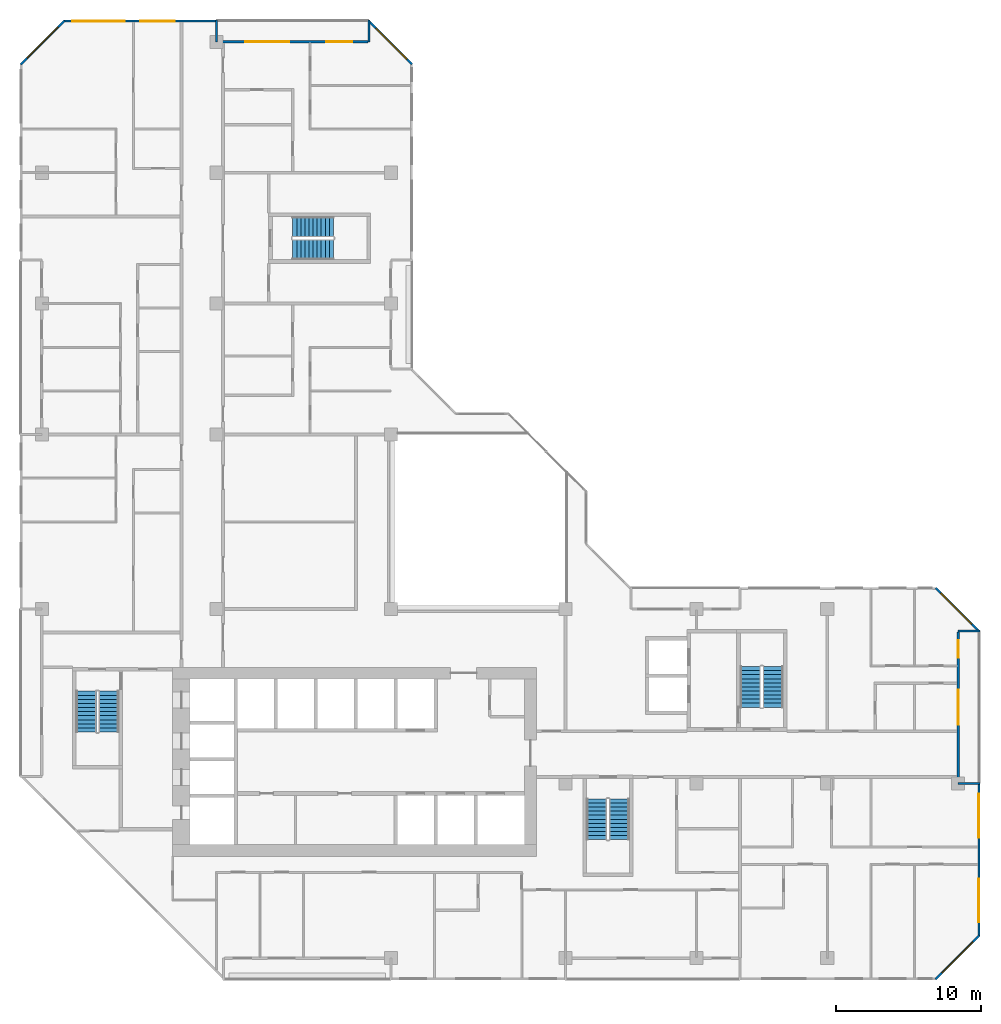
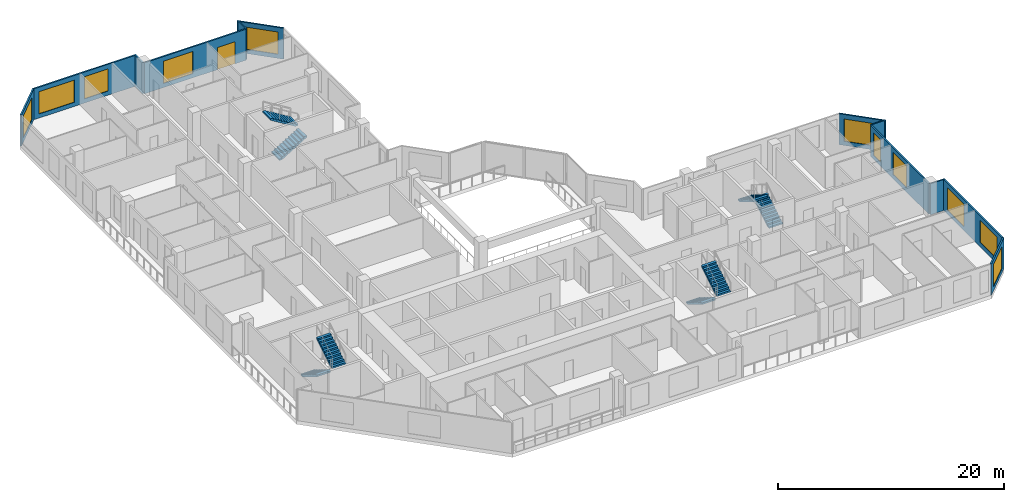
# One storey, part 12 of 14: 12 walls, 11 windows, 8 stair flights, 1 door, 12 openings, 4 elements without a shape of their own.
"""IFC4 building model written with IfcOpenShell, lengths in metres."""

from ifc_helpers import new_model, si_unit, direction, frame, frame_2d, origin, place, context, subcontext, project, spatial, polyline, rectangle, outline, extrude, material, layer, layer_set, type_object, element, fill, aggregate, save


model = new_model("IFC4")

# Units and contexts
model_context = context("Model", 3, precision=1e-05, world=origin(), true_north=direction((0.0, 1.0)))
body_context = subcontext(model_context, "Body", "Model", "MODEL_VIEW")
ifc_project = project(units=[si_unit("LENGTHUNIT", "METRE"), si_unit("AREAUNIT", "SQUARE_METRE"), si_unit("VOLUMEUNIT", "CUBIC_METRE"), si_unit("PLANEANGLEUNIT", "RADIAN"), si_unit("MASSUNIT", "GRAM", prefix="KILO")], contexts=[model_context])

# Site, building, storey
site_placement = place(None, origin())
site = spatial("IfcSite", under=ifc_project, at=site_placement, CompositionType="ELEMENT")
building_placement = place(site_placement, origin())
building = spatial("IfcBuilding", under=site, at=building_placement, Name="Chenar Terraces", CompositionType="ELEMENT")
storey_placement = place(building_placement, frame((0.0, 0.0, 168.64990234375)))
storey = spatial("IfcBuildingStorey", under=building, at=storey_placement, Name="L38", CompositionType="ELEMENT", Elevation=168.64990234375)

# Wall, openings, windows
ifc_material_1 = material(Name="Aluminium framed glazing", Category="aluminium")
ifc_layer_1 = layer(ifc_material_1, 0.14990234375)
ifc_layer_set_1 = layer_set([ifc_layer_1], Name="Aluminium framed glazing")
wall_type_1 = type_object("IfcWallType", Name="Glazed flush facade wall 150", PredefinedType="SOLIDWALL", material=ifc_layer_set_1)
wall_1_placement = place(storey_placement, frame((11.925048828125, 64.425048828125, 0.0), z_axis=(0.0, 0.0, 1.0), x_axis=(-1.0, 0.0, 0.0)))
wall_1 = element("IfcWall", 1, at=wall_1_placement, inside=storey, type_object=wall_type_1, Name="Glazed flush facade wall", PredefinedType="SOLIDWALL", context=body_context, shape_type="SweptSolid", body=[
    extrude(rectangle(XDim=10.425048828125, YDim=0.14990234375, at=frame_2d((5.21240234375, 0.0))), origin(), (0.0, 0.0, 1.0), 3.35009765625),
])
opening_1_placement = place(wall_1_placement, frame((2.77490234375, 0.0, 0.449951171875)))
opening_1 = element("IfcOpeningElement", 2, at=opening_1_placement, cuts=wall_1, Name="Opening W240x240", PredefinedType="OPENING", context=body_context, shape_type="SweptSolid", body=[
    extrude(rectangle(XDim=2.39990234375, YDim=2.39990234375, at=frame_2d((1.199951171875, 1.199951171875))), frame((0.0, 0.0849609375, 0.0), z_axis=(0.0, -1.0, 0.0), x_axis=(1.0, 0.0, 0.0)), (0.0, 0.0, 1.0), 0.169921875),
])
opening_2_placement = place(wall_1_placement, frame((6.22509765625, 0.0, 0.449951171875)))
opening_2 = element("IfcOpeningElement", 3, at=opening_2_placement, cuts=wall_1, Name="Opening W360x240", PredefinedType="OPENING", context=body_context, shape_type="SweptSolid", body=[
    extrude(rectangle(XDim=3.60009765625, YDim=2.39990234375, at=frame_2d((1.800048828125, 1.199951171875))), frame((0.0, 0.0849609375, 0.0), z_axis=(0.0, -1.0, 0.0), x_axis=(1.0, 0.0, 0.0)), (0.0, 0.0, 1.0), 0.169921875),
])
ifc_material_2 = material(Name="Low emissivity double glazing, aluminium frame", Category="aluminium")
window_type_1 = type_object("IfcWindowType", Name="Fixed light 2400 x 2400", PartitioningType="SINGLE_PANEL", PredefinedType="WINDOW", material=ifc_material_2)
window_1_placement = place(opening_1_placement, origin())
window_1 = element("IfcWindow", 4, at=window_1_placement, inside=storey, type_object=window_type_1, Name="Window", OverallHeight=2.39990234375, OverallWidth=2.39990234375, PartitioningType="SINGLE_PANEL", PredefinedType="WINDOW", context=body_context, shape_type="SweptSolid", body=[
    extrude(rectangle(XDim=2.39990234375, YDim=2.39990234375, at=frame_2d((1.199951171875, 1.199951171875))), frame((0.0, 0.030029296875, 0.0), z_axis=(0.0, -1.0, 0.0), x_axis=(1.0, 0.0, 0.0)), (0.0, 0.0, 1.0), 0.06005859375),
])
fill(opening_1, window_1)
ifc_material_3 = material(Name="Low emissivity double glazing, aluminium frame", Category="aluminium")
window_type_2 = type_object("IfcWindowType", Name="Fixed light 3600 x 2400", PartitioningType="SINGLE_PANEL", PredefinedType="WINDOW", material=ifc_material_3)
window_2_placement = place(opening_2_placement, origin())
window_2 = element("IfcWindow", 5, at=window_2_placement, inside=storey, type_object=window_type_2, Name="Window", OverallHeight=2.39990234375, OverallWidth=3.60009765625, PartitioningType="SINGLE_PANEL", PredefinedType="WINDOW", context=body_context, shape_type="SweptSolid", body=[
    extrude(rectangle(XDim=3.60009765625, YDim=2.39990234375, at=frame_2d((1.800048828125, 1.199951171875))), frame((0.0, 0.030029296875, 0.0), z_axis=(0.0, -1.0, 0.0), x_axis=(1.0, 0.0, 0.0)), (0.0, 0.0, 1.0), 0.06005859375),
])
fill(opening_2, window_2)

wall_2_placement = place(storey_placement, frame((64.425048828125, 1.5, 0.0), z_axis=(0.0, 0.0, 1.0), x_axis=(0.0, 1.0, 0.0)))
wall_2 = element("IfcWall", 6, at=wall_2_placement, inside=storey, type_object=wall_type_1, Name="Glazed flush facade wall", PredefinedType="SOLIDWALL", context=body_context, shape_type="SweptSolid", body=[
    extrude(rectangle(XDim=10.425048828125, YDim=0.14990234375, at=frame_2d((5.21240234375, 0.0))), origin(), (0.0, 0.0, 1.0), 3.35009765625),
])
opening_3_placement = place(wall_2_placement, frame((0.97509765625, 0.0, 0.449951171875)))
opening_3 = element("IfcOpeningElement", 7, at=opening_3_placement, cuts=wall_2, Name="Opening W300x240", PredefinedType="OPENING", context=body_context, shape_type="SweptSolid", body=[
    extrude(rectangle(XDim=3.0, YDim=2.39990234375, at=frame_2d((1.5, 1.199951171875))), frame((0.0, 0.0849609375, 0.0), z_axis=(0.0, -1.0, 0.0), x_axis=(1.0, 0.0, 0.0)), (0.0, 0.0, 1.0), 0.169921875),
])
opening_4_placement = place(wall_2_placement, frame((6.78759765625, 0.0, 0.449951171875)))
opening_4 = element("IfcOpeningElement", 8, at=opening_4_placement, cuts=wall_2, Name="Opening W300x240", PredefinedType="OPENING", context=body_context, shape_type="SweptSolid", body=[
    extrude(rectangle(XDim=3.0, YDim=2.39990234375, at=frame_2d((1.5, 1.199951171875))), frame((0.0, 0.0849609375, 0.0), z_axis=(0.0, -1.0, 0.0), x_axis=(1.0, 0.0, 0.0)), (0.0, 0.0, 1.0), 0.169921875),
])
ifc_material_4 = material(Name="Low emissivity double glazing, aluminium frame", Category="aluminium")
window_type_3 = type_object("IfcWindowType", Name="Fixed light 3000 x 2400", PartitioningType="SINGLE_PANEL", PredefinedType="WINDOW", material=ifc_material_4)
window_3_placement = place(opening_3_placement, origin())
window_3 = element("IfcWindow", 9, at=window_3_placement, inside=storey, type_object=window_type_3, Name="Window", OverallHeight=2.39990234375, OverallWidth=3.0, PartitioningType="SINGLE_PANEL", PredefinedType="WINDOW", context=body_context, shape_type="SweptSolid", body=[
    extrude(rectangle(XDim=3.0, YDim=2.39990234375, at=frame_2d((1.5, 1.199951171875))), frame((0.0, 0.030029296875, 0.0), z_axis=(0.0, -1.0, 0.0), x_axis=(1.0, 0.0, 0.0)), (0.0, 0.0, 1.0), 0.06005859375),
])
fill(opening_3, window_3)
window_4_placement = place(opening_4_placement, origin())
window_4 = element("IfcWindow", 10, at=window_4_placement, inside=storey, type_object=window_type_3, Name="Window", OverallHeight=2.39990234375, OverallWidth=3.0, PartitioningType="SINGLE_PANEL", PredefinedType="WINDOW", context=body_context, shape_type="SweptSolid", body=[
    extrude(rectangle(XDim=3.0, YDim=2.39990234375, at=frame_2d((1.5, 1.199951171875))), frame((0.0, 0.030029296875, 0.0), z_axis=(0.0, -1.0, 0.0), x_axis=(1.0, 0.0, 0.0)), (0.0, 0.0, 1.0), 0.06005859375),
])
fill(opening_4, window_4)

# Wall, openings, window, door
ifc_material_5 = material(Name="Aluminium framed glazing", Category="aluminium")
ifc_layer_2 = layer(ifc_material_5, 0.14990234375)
ifc_layer_set_2 = layer_set([ifc_layer_2], Name="Aluminium framed glazing")
wall_type_2 = type_object("IfcWallType", Name="Glazed loggia back wall 150", PredefinedType="SOLIDWALL", material=ifc_layer_set_2)
wall_3_placement = place(storey_placement, frame((22.425048828125, 63.0, 0.0), z_axis=(0.0, 0.0, 1.0), x_axis=(-1.0, 0.0, 0.0)))
wall_3 = element("IfcWall", 11, at=wall_3_placement, inside=storey, type_object=wall_type_2, Name="Glazed loggia back wall", PredefinedType="SOLIDWALL", context=body_context, shape_type="SweptSolid", body=[
    extrude(rectangle(XDim=10.35009765625, YDim=0.14990234375, at=frame_2d((5.175048828125, 0.0))), origin(), (0.0, 0.0, 1.0), 3.35009765625),
])
opening_5_placement = place(wall_3_placement, frame((1.08740234375, 0.0, 0.0)))
opening_5 = element("IfcOpeningElement", 12, at=opening_5_placement, cuts=wall_3, Name="Opening DL38-G2", PredefinedType="OPENING", context=body_context, shape_type="SweptSolid", body=[
    extrude(rectangle(XDim=1.800048828125, YDim=2.39990234375, at=frame_2d((0.89990234375, 1.199951171875))), frame((0.0, 0.0849609375, 0.0), z_axis=(0.0, -1.0, 0.0), x_axis=(1.0, 0.0, 0.0)), (0.0, 0.0, 1.0), 0.169921875),
])
opening_6_placement = place(wall_3_placement, frame((5.425048828125, 0.0, 0.449951171875)))
opening_6 = element("IfcOpeningElement", 13, at=opening_6_placement, cuts=wall_3, Name="Opening W300x240", PredefinedType="OPENING", context=body_context, shape_type="SweptSolid", body=[
    extrude(rectangle(XDim=3.0, YDim=2.39990234375, at=frame_2d((1.5, 1.199951171875))), frame((0.0, 0.0849609375, 0.0), z_axis=(0.0, -1.0, 0.0), x_axis=(1.0, 0.0, 0.0)), (0.0, 0.0, 1.0), 0.169921875),
])
window_5_placement = place(opening_6_placement, origin())
window_5 = element("IfcWindow", 14, at=window_5_placement, inside=storey, type_object=window_type_3, Name="Window", OverallHeight=2.39990234375, OverallWidth=3.0, PartitioningType="SINGLE_PANEL", PredefinedType="WINDOW", context=body_context, shape_type="SweptSolid", body=[
    extrude(rectangle(XDim=3.0, YDim=2.39990234375, at=frame_2d((1.5, 1.199951171875))), frame((0.0, 0.030029296875, 0.0), z_axis=(0.0, -1.0, 0.0), x_axis=(1.0, 0.0, 0.0)), (0.0, 0.0, 1.0), 0.06005859375),
])
fill(opening_6, window_5)
ifc_material_6 = material(Name="Low emissivity double glazing, aluminium frame", Category="aluminium")
door_type = type_object("IfcDoorType", Name="Loggia glazed double door 1800 x 2400", OperationType="DOUBLE_DOOR_SINGLE_SWING", PredefinedType="DOOR", material=ifc_material_6)
door_placement = place(opening_5_placement, frame((1.800048828125, 0.0, 0.0), z_axis=(0.0, 0.0, 1.0), x_axis=(-1.0, 0.0, 0.0)))
door = element("IfcDoor", 15, at=door_placement, inside=storey, type_object=door_type, Name="Loggia glazed door", OperationType="DOUBLE_DOOR_SINGLE_SWING", OverallHeight=2.39990234375, OverallWidth=1.800048828125, PredefinedType="DOOR", context=body_context, shape_type="SweptSolid", body=[
    extrude(rectangle(XDim=1.800048828125, YDim=2.39990234375, at=frame_2d((0.89990234375, 1.199951171875))), frame((0.0, 0.02490234375, 0.0), z_axis=(0.0, -1.0, 0.0), x_axis=(1.0, 0.0, 0.0)), (0.0, 0.0, 1.0), 0.050048828125),
])
fill(opening_5, door)

# Wall, openings, windows
wall_4_placement = place(storey_placement, frame((63.0, 12.074951171875, 0.0), z_axis=(0.0, 0.0, 1.0), x_axis=(0.0, 1.0, 0.0)))
wall_4 = element("IfcWall", 16, at=wall_4_placement, inside=storey, type_object=wall_type_2, Name="Glazed loggia back wall", PredefinedType="SOLIDWALL", context=body_context, shape_type="SweptSolid", body=[
    extrude(rectangle(XDim=10.35009765625, YDim=0.14990234375, at=frame_2d((5.175048828125, 0.0))), origin(), (0.0, 0.0, 1.0), 3.35009765625),
])
opening_7_placement = place(wall_4_placement, frame((3.97509765625, 0.0, 0.449951171875)))
opening_7 = element("IfcOpeningElement", 17, at=opening_7_placement, cuts=wall_4, Name="Opening W240x240", PredefinedType="OPENING", context=body_context, shape_type="SweptSolid", body=[
    extrude(rectangle(XDim=2.39990234375, YDim=2.39990234375, at=frame_2d((1.199951171875, 1.199951171875))), frame((0.0, 0.0849609375, 0.0), z_axis=(0.0, -1.0, 0.0), x_axis=(1.0, 0.0, 0.0)), (0.0, 0.0, 1.0), 0.169921875),
])
opening_8_placement = place(wall_4_placement, frame((8.58740234375, 0.0, 0.449951171875)))
opening_8 = element("IfcOpeningElement", 18, at=opening_8_placement, cuts=wall_4, Name="Opening W120x240", PredefinedType="OPENING", context=body_context, shape_type="SweptSolid", body=[
    extrude(rectangle(XDim=1.199951171875, YDim=2.39990234375, at=frame_2d((0.60009765625, 1.199951171875))), frame((0.0, 0.0849609375, 0.0), z_axis=(0.0, -1.0, 0.0), x_axis=(1.0, 0.0, 0.0)), (0.0, 0.0, 1.0), 0.169921875),
])
ifc_material_7 = material(Name="Low emissivity double glazing, aluminium frame", Category="aluminium")
window_type_4 = type_object("IfcWindowType", Name="Fixed light 1200 x 2400", PartitioningType="SINGLE_PANEL", PredefinedType="WINDOW", material=ifc_material_7)
window_6_placement = place(opening_8_placement, origin())
window_6 = element("IfcWindow", 19, at=window_6_placement, inside=storey, type_object=window_type_4, Name="Window", OverallHeight=2.39990234375, OverallWidth=1.199951171875, PartitioningType="SINGLE_PANEL", PredefinedType="WINDOW", context=body_context, shape_type="SweptSolid", body=[
    extrude(rectangle(XDim=1.199951171875, YDim=2.39990234375, at=frame_2d((0.60009765625, 1.199951171875))), frame((0.0, 0.030029296875, 0.0), z_axis=(0.0, -1.0, 0.0), x_axis=(1.0, 0.0, 0.0)), (0.0, 0.0, 1.0), 0.06005859375),
])
fill(opening_8, window_6)
window_7_placement = place(opening_7_placement, origin())
window_7 = element("IfcWindow", 20, at=window_7_placement, inside=storey, type_object=window_type_1, Name="Window", OverallHeight=2.39990234375, OverallWidth=2.39990234375, PartitioningType="SINGLE_PANEL", PredefinedType="WINDOW", context=body_context, shape_type="SweptSolid", body=[
    extrude(rectangle(XDim=2.39990234375, YDim=2.39990234375, at=frame_2d((1.199951171875, 1.199951171875))), frame((0.0, 0.030029296875, 0.0), z_axis=(0.0, -1.0, 0.0), x_axis=(1.0, 0.0, 0.0)), (0.0, 0.0, 1.0), 0.06005859375),
])
fill(opening_7, window_7)

# Walls
ifc_material_8 = material(Name="Terracotta cladding on insulated backing", Category="masonry")
ifc_layer_3 = layer(ifc_material_8, 0.14990234375)
ifc_layer_set_3 = layer_set([ifc_layer_3], Name="Terracotta cladding on insulated backing")
wall_type_3 = type_object("IfcWallType", Name="Loggia return wall 150", PredefinedType="SOLIDWALL", material=ifc_layer_set_3)
for number, where, z_axis, x_axis, name in (
    (21, (22.5, 64.5, 0.0), (0.0, 0.0, 1.0), (0.0, -1.0, 0.0), "Loggia return wall"),
    (22, (12.0, 64.5, 0.0), (0.0, 0.0, 1.0), (0.0, -1.0, 0.0), "Loggia return wall"),
    (23, (64.5, 12.0, 0.0), (0.0, 0.0, 1.0), (-1.0, 0.0, 0.0), "Loggia return wall"),
    (24, (64.5, 22.5, 0.0), (0.0, 0.0, 1.0), (-1.0, 0.0, 0.0), "Loggia return wall"),
):
    element("IfcWall", number, at=place(storey_placement, frame(where, z_axis=z_axis, x_axis=x_axis)), inside=storey, type_object=wall_type_3, Name=name, PredefinedType="SOLIDWALL", context=body_context, shape_type="SweptSolid", body=[
        extrude(rectangle(XDim=1.5, YDim=0.14990234375, at=frame_2d((0.75, 0.0))), origin(), (0.0, 0.0, 1.0), 3.35009765625),
    ])

# Wall, opening, window
ifc_material_9 = material(Name="Terracotta cladding on insulated backing", Category="masonry")
ifc_layer_4 = layer(ifc_material_9, 0.14990234375)
ifc_layer_set_4 = layer_set([ifc_layer_4], Name="Terracotta cladding on insulated backing")
wall_type_4 = type_object("IfcWallType", Name="Terracotta rainscreen wall 150", PredefinedType="SOLIDWALL", material=ifc_layer_set_4)
wall_5_placement = place(storey_placement, frame((25.447021484375, 61.447021484375, 0.0), z_axis=(0.0, 0.0, 1.0), x_axis=(-0.707106781187, 0.707106781187, 0.0)))
wall_5 = element("IfcWall", 25, at=wall_5_placement, inside=storey, type_object=wall_type_4, Name="Terracotta rainscreen wall", PredefinedType="SOLIDWALL", context=body_context, shape_type="SweptSolid", body=[
    extrude(rectangle(XDim=4.24267578125, YDim=0.14990234375, at=frame_2d((2.121337890625, 0.0))), origin(), (0.0, 0.0, 1.0), 3.35009765625),
])
opening_9_placement = place(wall_5_placement, frame((0.498046875, 0.0, 0.449951171875)))
opening_9 = element("IfcOpeningElement", 26, at=opening_9_placement, cuts=wall_5, Name="Opening W300x240", PredefinedType="OPENING", context=body_context, shape_type="SweptSolid", body=[
    extrude(rectangle(XDim=3.0, YDim=2.39990234375, at=frame_2d((1.5, 1.199951171875))), frame((0.0, 0.0849609375, 0.0), z_axis=(0.0, -1.0, 0.0), x_axis=(1.0, 0.0, 0.0)), (0.0, 0.0, 1.0), 0.169921875),
])
window_8_placement = place(opening_9_placement, origin())
window_8 = element("IfcWindow", 27, at=window_8_placement, inside=storey, type_object=window_type_3, Name="Window", OverallHeight=2.39990234375, OverallWidth=3.0, PartitioningType="SINGLE_PANEL", PredefinedType="WINDOW", context=body_context, shape_type="SweptSolid", body=[
    extrude(rectangle(XDim=3.0, YDim=2.39990234375, at=frame_2d((1.5, 1.199951171875))), frame((0.0, 0.030029296875, 0.0), z_axis=(0.0, -1.0, 0.0), x_axis=(1.0, 0.0, 0.0)), (0.0, 0.0, 1.0), 0.06005859375),
])
fill(opening_9, window_8)

wall_6_placement = place(storey_placement, frame((1.552978515625, 64.447021484375, 0.0), z_axis=(0.0, 0.0, 1.0), x_axis=(-0.707106781187, -0.707106781187, 0.0)))
wall_6 = element("IfcWall", 28, at=wall_6_placement, inside=storey, type_object=wall_type_4, Name="Terracotta rainscreen wall", PredefinedType="SOLIDWALL", context=body_context, shape_type="SweptSolid", body=[
    extrude(rectangle(XDim=4.24267578125, YDim=0.14990234375, at=frame_2d((2.121337890625, 0.0))), origin(), (0.0, 0.0, 1.0), 3.35009765625),
])
opening_10_placement = place(wall_6_placement, frame((0.621337890625, 0.0, 0.449951171875)))
opening_10 = element("IfcOpeningElement", 29, at=opening_10_placement, cuts=wall_6, Name="Opening W300x240", PredefinedType="OPENING", context=body_context, shape_type="SweptSolid", body=[
    extrude(rectangle(XDim=3.0, YDim=2.39990234375, at=frame_2d((1.5, 1.199951171875))), frame((0.0, 0.0849609375, 0.0), z_axis=(0.0, -1.0, 0.0), x_axis=(1.0, 0.0, 0.0)), (0.0, 0.0, 1.0), 0.169921875),
])
window_9_placement = place(opening_10_placement, origin())
window_9 = element("IfcWindow", 30, at=window_9_placement, inside=storey, type_object=window_type_3, Name="Window", OverallHeight=2.39990234375, OverallWidth=3.0, PartitioningType="SINGLE_PANEL", PredefinedType="WINDOW", context=body_context, shape_type="SweptSolid", body=[
    extrude(rectangle(XDim=3.0, YDim=2.39990234375, at=frame_2d((1.5, 1.199951171875))), frame((0.0, 0.030029296875, 0.0), z_axis=(0.0, -1.0, 0.0), x_axis=(1.0, 0.0, 0.0)), (0.0, 0.0, 1.0), 0.06005859375),
])
fill(opening_10, window_9)

wall_7_placement = place(storey_placement, frame((61.447021484375, -1.447021484375, 0.0), z_axis=(0.0, 0.0, 1.0), x_axis=(0.707106781187, 0.707106781187, 0.0)))
wall_7 = element("IfcWall", 31, at=wall_7_placement, inside=storey, type_object=wall_type_4, Name="Terracotta rainscreen wall", PredefinedType="SOLIDWALL", context=body_context, shape_type="SweptSolid", body=[
    extrude(rectangle(XDim=4.24267578125, YDim=0.14990234375, at=frame_2d((2.121337890625, 0.0))), origin(), (0.0, 0.0, 1.0), 3.35009765625),
])
opening_11_placement = place(wall_7_placement, frame((0.621337890625, 0.0, 0.449951171875)))
opening_11 = element("IfcOpeningElement", 32, at=opening_11_placement, cuts=wall_7, Name="Opening W300x240", PredefinedType="OPENING", context=body_context, shape_type="SweptSolid", body=[
    extrude(rectangle(XDim=3.0, YDim=2.39990234375, at=frame_2d((1.5, 1.199951171875))), frame((0.0, 0.0849609375, 0.0), z_axis=(0.0, -1.0, 0.0), x_axis=(1.0, 0.0, 0.0)), (0.0, 0.0, 1.0), 0.169921875),
])
window_10_placement = place(opening_11_placement, origin())
window_10 = element("IfcWindow", 33, at=window_10_placement, inside=storey, type_object=window_type_3, Name="Window", OverallHeight=2.39990234375, OverallWidth=3.0, PartitioningType="SINGLE_PANEL", PredefinedType="WINDOW", context=body_context, shape_type="SweptSolid", body=[
    extrude(rectangle(XDim=3.0, YDim=2.39990234375, at=frame_2d((1.5, 1.199951171875))), frame((0.0, 0.030029296875, 0.0), z_axis=(0.0, -1.0, 0.0), x_axis=(1.0, 0.0, 0.0)), (0.0, 0.0, 1.0), 0.06005859375),
])
fill(opening_11, window_10)

wall_8_placement = place(storey_placement, frame((64.447021484375, 22.447021484375, 0.0), z_axis=(0.0, 0.0, 1.0), x_axis=(-0.707106781187, 0.707106781187, 0.0)))
wall_8 = element("IfcWall", 34, at=wall_8_placement, inside=storey, type_object=wall_type_4, Name="Terracotta rainscreen wall", PredefinedType="SOLIDWALL", context=body_context, shape_type="SweptSolid", body=[
    extrude(rectangle(XDim=4.24267578125, YDim=0.14990234375, at=frame_2d((2.121337890625, 0.0))), origin(), (0.0, 0.0, 1.0), 3.35009765625),
])
opening_12_placement = place(wall_8_placement, frame((0.744384765625, 0.0, 0.449951171875)))
opening_12 = element("IfcOpeningElement", 35, at=opening_12_placement, cuts=wall_8, Name="Opening W300x240", PredefinedType="OPENING", context=body_context, shape_type="SweptSolid", body=[
    extrude(rectangle(XDim=3.0, YDim=2.39990234375, at=frame_2d((1.5, 1.199951171875))), frame((0.0, 0.0849609375, 0.0), z_axis=(0.0, -1.0, 0.0), x_axis=(1.0, 0.0, 0.0)), (0.0, 0.0, 1.0), 0.169921875),
])
window_11_placement = place(opening_12_placement, origin())
window_11 = element("IfcWindow", 36, at=window_11_placement, inside=storey, type_object=window_type_3, Name="Window", OverallHeight=2.39990234375, OverallWidth=3.0, PartitioningType="SINGLE_PANEL", PredefinedType="WINDOW", context=body_context, shape_type="SweptSolid", body=[
    extrude(rectangle(XDim=3.0, YDim=2.39990234375, at=frame_2d((1.5, 1.199951171875))), frame((0.0, 0.030029296875, 0.0), z_axis=(0.0, -1.0, 0.0), x_axis=(1.0, 0.0, 0.0)), (0.0, 0.0, 1.0), 0.06005859375),
])
fill(opening_12, window_11)

# Stair, stair flights
ifc_material_10 = material(Name="Reinforced concrete C40/50", Category="concrete")
stair_type = type_object("IfcStairType", Name="Core stair 1400 half-turn", PredefinedType="HALF_TURN_STAIR", material=ifc_material_10)
placement = place(storey_placement, origin())
stair_1 = element("IfcStair", 37, at=placement, inside=storey, type_object=stair_type, Name="L38 Stair 1", PredefinedType="HALF_TURN_STAIR")
ifc_material_11 = material(Name="Reinforced concrete C40/50", Category="concrete")
stair_flight_type = type_object("IfcStairFlightType", Name="Core stair flight 1400", PredefinedType="STRAIGHT", material=ifc_material_11)
stair_flight_1_placement = place(storey_placement, frame((3.050048828125, 18.35009765625, 0.0), z_axis=(0.0, 0.0, 1.0), x_axis=(0.0, -1.0, 0.0)))
stair_flight_1 = element("IfcStairFlight", 38, at=stair_flight_1_placement, type_object=stair_flight_type, Name="ST1 flight 1", NumberOfRisers=11, NumberOfTreads=10, PredefinedType="STRAIGHT", RiserHeight=0.170454545, TreadLength=0.28, context=body_context, shape_type="SweptSolid", body=[
    extrude(outline(polyline([(-0.0029296875, 0.0), (-0.0029296875, 0.17041015625), (0.0, 0.17041015625), (0.280029296875, 0.17041015625), (0.280029296875, 0.3408203125), (0.56005859375, 0.3408203125), (0.56005859375, 0.511474609375), (0.840087890625, 0.511474609375), (0.840087890625, 0.681884765625), (1.1201171875, 0.681884765625), (1.1201171875, 0.852294921875), (1.39990234375, 0.852294921875), (1.39990234375, 1.022705078125), (1.679931640625, 1.022705078125), (1.679931640625, 1.193115234375), (1.9599609375, 1.193115234375), (1.9599609375, 1.363525390625), (2.239990234375, 1.363525390625), (2.239990234375, 1.5341796875), (2.52001953125, 1.5341796875), (2.52001953125, 1.70458984375), (2.800048828125, 1.70458984375), (2.802978515625, 1.70458984375), (2.802978515625, 1.529052734375), (2.800048828125, 1.529052734375), (0.288330078125, 0.0), (-0.0029296875, 0.0)])), frame((0.0, 0.699951171875, 0.0), z_axis=(0.0, -1.0, 0.0), x_axis=(1.0, 0.0, 0.0)), (0.0, 0.0, 1.0), 1.39990234375),
])
stair_flight_2_placement = place(storey_placement, frame((4.60009765625, 15.550048828125, 1.875), z_axis=(0.0, 0.0, 1.0), x_axis=(0.0, 1.0, 0.0)))
stair_flight_2 = element("IfcStairFlight", 39, at=stair_flight_2_placement, type_object=stair_flight_type, Name="ST1 flight 2", NumberOfRisers=11, NumberOfTreads=10, PredefinedType="STRAIGHT", RiserHeight=0.170454545, TreadLength=0.28, context=body_context, shape_type="SweptSolid", body=[
    extrude(outline(polyline([(-0.0029296875, 0.0), (-0.0029296875, 0.17041015625), (0.0, 0.17041015625), (0.280029296875, 0.17041015625), (0.280029296875, 0.3408203125), (0.56005859375, 0.3408203125), (0.56005859375, 0.511474609375), (0.840087890625, 0.511474609375), (0.840087890625, 0.681884765625), (1.1201171875, 0.681884765625), (1.1201171875, 0.852294921875), (1.39990234375, 0.852294921875), (1.39990234375, 1.022705078125), (1.679931640625, 1.022705078125), (1.679931640625, 1.193115234375), (1.9599609375, 1.193115234375), (1.9599609375, 1.363525390625), (2.239990234375, 1.363525390625), (2.239990234375, 1.5341796875), (2.52001953125, 1.5341796875), (2.52001953125, 1.70458984375), (2.800048828125, 1.70458984375), (2.802978515625, 1.70458984375), (2.802978515625, 1.529052734375), (2.800048828125, 1.529052734375), (0.288330078125, 0.0), (-0.0029296875, 0.0)])), frame((0.0, 0.699951171875, 0.0), z_axis=(0.0, -1.0, 0.0), x_axis=(1.0, 0.0, 0.0)), (0.0, 0.0, 1.0), 1.39990234375),
])
aggregate(stair_1, [stair_flight_1, stair_flight_2])

stair_2 = element("IfcStair", 40, at=placement, inside=storey, type_object=stair_type, Name="L38 Stair 2", PredefinedType="HALF_TURN_STAIR")
stair_flight_3_placement = place(storey_placement, frame((38.14990234375, 10.949951171875, 0.0), z_axis=(0.0, 0.0, 1.0), x_axis=(0.0, -1.0, 0.0)))
stair_flight_3 = element("IfcStairFlight", 41, at=stair_flight_3_placement, type_object=stair_flight_type, Name="ST2 flight 1", NumberOfRisers=11, NumberOfTreads=10, PredefinedType="STRAIGHT", RiserHeight=0.170454545, TreadLength=0.28, context=body_context, shape_type="SweptSolid", body=[
    extrude(outline(polyline([(-0.0029296875, 0.0), (-0.0029296875, 0.17041015625), (0.0, 0.17041015625), (0.280029296875, 0.17041015625), (0.280029296875, 0.3408203125), (0.56005859375, 0.3408203125), (0.56005859375, 0.511474609375), (0.840087890625, 0.511474609375), (0.840087890625, 0.681884765625), (1.1201171875, 0.681884765625), (1.1201171875, 0.852294921875), (1.39990234375, 0.852294921875), (1.39990234375, 1.022705078125), (1.679931640625, 1.022705078125), (1.679931640625, 1.193115234375), (1.9599609375, 1.193115234375), (1.9599609375, 1.363525390625), (2.239990234375, 1.363525390625), (2.239990234375, 1.5341796875), (2.52001953125, 1.5341796875), (2.52001953125, 1.70458984375), (2.800048828125, 1.70458984375), (2.802978515625, 1.70458984375), (2.802978515625, 1.529052734375), (2.800048828125, 1.529052734375), (0.288330078125, 0.0), (-0.0029296875, 0.0)])), frame((0.0, 0.699951171875, 0.0), z_axis=(0.0, -1.0, 0.0), x_axis=(1.0, 0.0, 0.0)), (0.0, 0.0, 1.0), 1.39990234375),
])
stair_flight_4_placement = place(storey_placement, frame((39.699951171875, 8.14990234375, 1.875), z_axis=(0.0, 0.0, 1.0), x_axis=(0.0, 1.0, 0.0)))
stair_flight_4 = element("IfcStairFlight", 42, at=stair_flight_4_placement, type_object=stair_flight_type, Name="ST2 flight 2", NumberOfRisers=11, NumberOfTreads=10, PredefinedType="STRAIGHT", RiserHeight=0.170454545, TreadLength=0.28, context=body_context, shape_type="SweptSolid", body=[
    extrude(outline(polyline([(-0.0029296875, 0.0), (-0.0029296875, 0.17041015625), (0.0, 0.17041015625), (0.280029296875, 0.17041015625), (0.280029296875, 0.3408203125), (0.56005859375, 0.3408203125), (0.56005859375, 0.511474609375), (0.840087890625, 0.511474609375), (0.840087890625, 0.681884765625), (1.1201171875, 0.681884765625), (1.1201171875, 0.852294921875), (1.39990234375, 0.852294921875), (1.39990234375, 1.022705078125), (1.679931640625, 1.022705078125), (1.679931640625, 1.193115234375), (1.9599609375, 1.193115234375), (1.9599609375, 1.363525390625), (2.239990234375, 1.363525390625), (2.239990234375, 1.5341796875), (2.52001953125, 1.5341796875), (2.52001953125, 1.70458984375), (2.800048828125, 1.70458984375), (2.802978515625, 1.70458984375), (2.802978515625, 1.529052734375), (2.800048828125, 1.529052734375), (0.288330078125, 0.0), (-0.0029296875, 0.0)])), frame((0.0, 0.699951171875, 0.0), z_axis=(0.0, -1.0, 0.0), x_axis=(1.0, 0.0, 0.0)), (0.0, 0.0, 1.0), 1.39990234375),
])
aggregate(stair_2, [stair_flight_3, stair_flight_4])

stair_3 = element("IfcStair", 43, at=placement, inside=storey, type_object=stair_type, Name="L38 Stair 3", PredefinedType="HALF_TURN_STAIR")
stair_flight_5_placement = place(storey_placement, frame((50.27490234375, 17.25, 0.0), z_axis=(0.0, 0.0, 1.0), x_axis=(0.0, 1.0, 0.0)))
stair_flight_5 = element("IfcStairFlight", 44, at=stair_flight_5_placement, type_object=stair_flight_type, Name="ST3 flight 1", NumberOfRisers=11, NumberOfTreads=10, PredefinedType="STRAIGHT", RiserHeight=0.170454545, TreadLength=0.28, context=body_context, shape_type="SweptSolid", body=[
    extrude(outline(polyline([(-0.0029296875, 0.0), (-0.0029296875, 0.17041015625), (0.0, 0.17041015625), (0.280029296875, 0.17041015625), (0.280029296875, 0.3408203125), (0.56005859375, 0.3408203125), (0.56005859375, 0.511474609375), (0.840087890625, 0.511474609375), (0.840087890625, 0.681884765625), (1.1201171875, 0.681884765625), (1.1201171875, 0.852294921875), (1.39990234375, 0.852294921875), (1.39990234375, 1.022705078125), (1.679931640625, 1.022705078125), (1.679931640625, 1.193115234375), (1.9599609375, 1.193115234375), (1.9599609375, 1.363525390625), (2.239990234375, 1.363525390625), (2.239990234375, 1.5341796875), (2.52001953125, 1.5341796875), (2.52001953125, 1.70458984375), (2.800048828125, 1.70458984375), (2.802978515625, 1.70458984375), (2.802978515625, 1.529052734375), (2.800048828125, 1.529052734375), (0.288330078125, 0.0), (-0.0029296875, 0.0)])), frame((0.0, 0.699951171875, 0.0), z_axis=(0.0, -1.0, 0.0), x_axis=(1.0, 0.0, 0.0)), (0.0, 0.0, 1.0), 1.39990234375),
])
stair_flight_6_placement = place(storey_placement, frame((48.72509765625, 20.050048828125, 1.875), z_axis=(0.0, 0.0, 1.0), x_axis=(0.0, -1.0, 0.0)))
stair_flight_6 = element("IfcStairFlight", 45, at=stair_flight_6_placement, type_object=stair_flight_type, Name="ST3 flight 2", NumberOfRisers=11, NumberOfTreads=10, PredefinedType="STRAIGHT", RiserHeight=0.170454545, TreadLength=0.28, context=body_context, shape_type="SweptSolid", body=[
    extrude(outline(polyline([(-0.0029296875, 0.0), (-0.0029296875, 0.17041015625), (0.0, 0.17041015625), (0.280029296875, 0.17041015625), (0.280029296875, 0.3408203125), (0.56005859375, 0.3408203125), (0.56005859375, 0.511474609375), (0.840087890625, 0.511474609375), (0.840087890625, 0.681884765625), (1.1201171875, 0.681884765625), (1.1201171875, 0.852294921875), (1.39990234375, 0.852294921875), (1.39990234375, 1.022705078125), (1.679931640625, 1.022705078125), (1.679931640625, 1.193115234375), (1.9599609375, 1.193115234375), (1.9599609375, 1.363525390625), (2.239990234375, 1.363525390625), (2.239990234375, 1.5341796875), (2.52001953125, 1.5341796875), (2.52001953125, 1.70458984375), (2.800048828125, 1.70458984375), (2.802978515625, 1.70458984375), (2.802978515625, 1.529052734375), (2.800048828125, 1.529052734375), (0.288330078125, 0.0), (-0.0029296875, 0.0)])), frame((0.0, 0.699951171875, 0.0), z_axis=(0.0, -1.0, 0.0), x_axis=(1.0, 0.0, 0.0)), (0.0, 0.0, 1.0), 1.39990234375),
])
aggregate(stair_3, [stair_flight_5, stair_flight_6])

stair_4 = element("IfcStair", 46, at=placement, inside=storey, type_object=stair_type, Name="L38 Stair 4", PredefinedType="HALF_TURN_STAIR")
stair_flight_7_placement = place(storey_placement, frame((17.25, 48.72509765625, 0.0), z_axis=(0.0, 0.0, 1.0), x_axis=(1.0, 0.0, 0.0)))
stair_flight_7 = element("IfcStairFlight", 47, at=stair_flight_7_placement, type_object=stair_flight_type, Name="ST4 flight 1", NumberOfRisers=11, NumberOfTreads=10, PredefinedType="STRAIGHT", RiserHeight=0.170454545, TreadLength=0.28, context=body_context, shape_type="SweptSolid", body=[
    extrude(outline(polyline([(-0.0029296875, 0.0), (-0.0029296875, 0.17041015625), (0.0, 0.17041015625), (0.280029296875, 0.17041015625), (0.280029296875, 0.3408203125), (0.56005859375, 0.3408203125), (0.56005859375, 0.511474609375), (0.840087890625, 0.511474609375), (0.840087890625, 0.681884765625), (1.1201171875, 0.681884765625), (1.1201171875, 0.852294921875), (1.39990234375, 0.852294921875), (1.39990234375, 1.022705078125), (1.679931640625, 1.022705078125), (1.679931640625, 1.193115234375), (1.9599609375, 1.193115234375), (1.9599609375, 1.363525390625), (2.239990234375, 1.363525390625), (2.239990234375, 1.5341796875), (2.52001953125, 1.5341796875), (2.52001953125, 1.70458984375), (2.800048828125, 1.70458984375), (2.802978515625, 1.70458984375), (2.802978515625, 1.529052734375), (2.800048828125, 1.529052734375), (0.288330078125, 0.0), (-0.0029296875, 0.0)])), frame((0.0, 0.699951171875, 0.0), z_axis=(0.0, -1.0, 0.0), x_axis=(1.0, 0.0, 0.0)), (0.0, 0.0, 1.0), 1.39990234375),
])
stair_flight_8_placement = place(storey_placement, frame((20.050048828125, 50.27490234375, 1.875), z_axis=(0.0, 0.0, 1.0), x_axis=(-1.0, 0.0, 0.0)))
stair_flight_8 = element("IfcStairFlight", 48, at=stair_flight_8_placement, type_object=stair_flight_type, Name="ST4 flight 2", NumberOfRisers=11, NumberOfTreads=10, PredefinedType="STRAIGHT", RiserHeight=0.170454545, TreadLength=0.28, context=body_context, shape_type="SweptSolid", body=[
    extrude(outline(polyline([(-0.0029296875, 0.0), (-0.0029296875, 0.17041015625), (0.0, 0.17041015625), (0.280029296875, 0.17041015625), (0.280029296875, 0.3408203125), (0.56005859375, 0.3408203125), (0.56005859375, 0.511474609375), (0.840087890625, 0.511474609375), (0.840087890625, 0.681884765625), (1.1201171875, 0.681884765625), (1.1201171875, 0.852294921875), (1.39990234375, 0.852294921875), (1.39990234375, 1.022705078125), (1.679931640625, 1.022705078125), (1.679931640625, 1.193115234375), (1.9599609375, 1.193115234375), (1.9599609375, 1.363525390625), (2.239990234375, 1.363525390625), (2.239990234375, 1.5341796875), (2.52001953125, 1.5341796875), (2.52001953125, 1.70458984375), (2.800048828125, 1.70458984375), (2.802978515625, 1.70458984375), (2.802978515625, 1.529052734375), (2.800048828125, 1.529052734375), (0.288330078125, 0.0), (-0.0029296875, 0.0)])), frame((0.0, 0.699951171875, 0.0), z_axis=(0.0, -1.0, 0.0), x_axis=(1.0, 0.0, 0.0)), (0.0, 0.0, 1.0), 1.39990234375),
])
aggregate(stair_4, [stair_flight_7, stair_flight_8])

save(model, "model.ifc")
